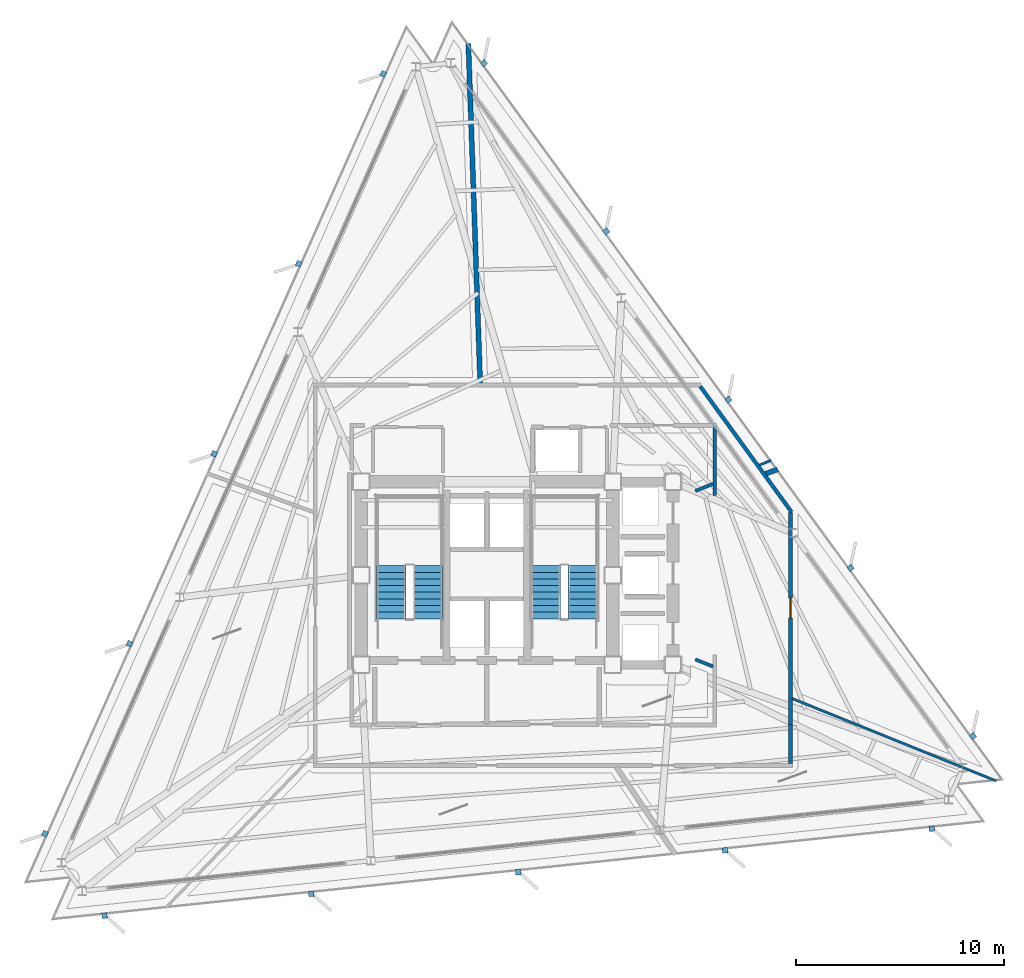
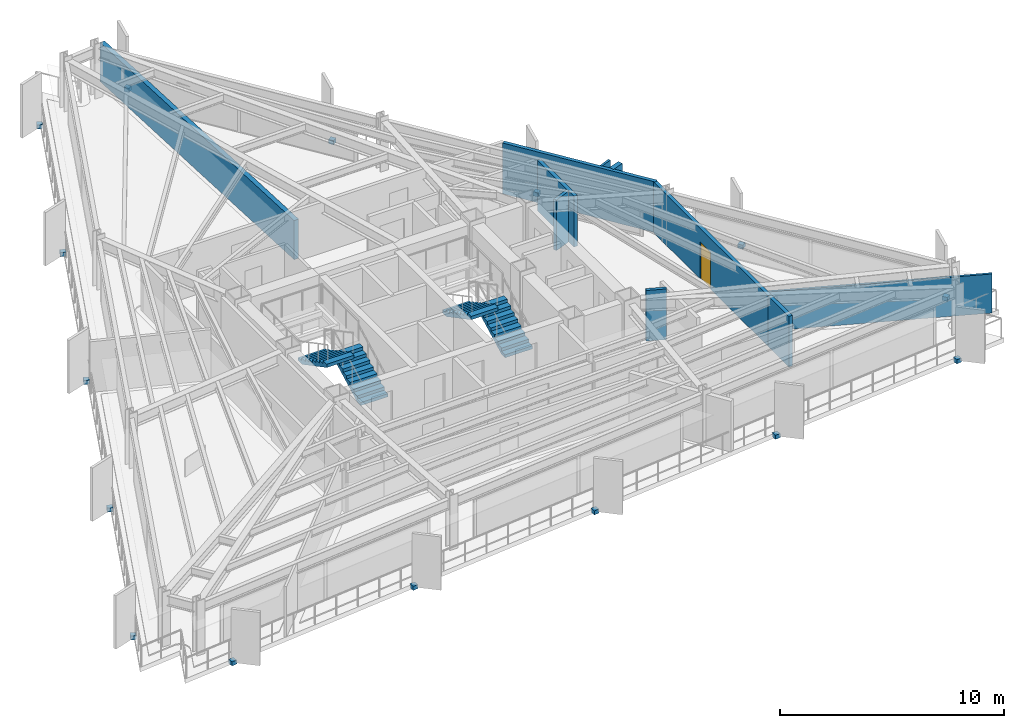
# One storey, part 9 of 13: 15 discrete accessories, 10 walls, 4 stair flights, 1 door, 1 opening, 2 elements without a shape of their own.
"""IFC4 building model written with IfcOpenShell, lengths in metres."""

from ifc_helpers import new_model, si_unit, direction, frame, frame_2d, origin, origin_2d, place, context, subcontext, project, spatial, polyline, rectangle, outline, extrude, material, layer, layer_set, type_object, element, fill, aggregate, save


model = new_model("IFC4")

# Units and contexts
model_context = context("Model", 3, precision=1e-05, world=origin(), true_north=direction((0.0, 1.0)))
body_context = subcontext(model_context, "Body", "Model", "MODEL_VIEW")
ifc_project = project(units=[si_unit("LENGTHUNIT", "METRE"), si_unit("AREAUNIT", "SQUARE_METRE"), si_unit("VOLUMEUNIT", "CUBIC_METRE"), si_unit("PLANEANGLEUNIT", "RADIAN"), si_unit("MASSUNIT", "GRAM", prefix="KILO")], contexts=[model_context])

# Site, building, storey
site_placement = place(None, origin())
site = spatial("IfcSite", under=ifc_project, at=site_placement, CompositionType="ELEMENT")
building_placement = place(site_placement, origin())
building = spatial("IfcBuilding", under=site, at=building_placement, Name="Rocaltana Carrier Exchange", CompositionType="ELEMENT")
storey_placement = place(building_placement, frame((0.0, 0.0, 119.840087890625)))
storey = spatial("IfcBuildingStorey", under=building, at=storey_placement, Name="L37", CompositionType="ELEMENT", Elevation=119.840087890625)

# Walls
ifc_material_1 = material(Name="Double Acoustic Gypsum Partition", Category="gypsum")
ifc_layer_1 = layer(ifc_material_1, 0.159912109375)
ifc_layer_set_1 = layer_set([ifc_layer_1], Name="Double Acoustic Gypsum Partition")
wall_type_1 = type_object("IfcWallType", Name="Acoustic Studio Partition 160 EI60", PredefinedType="PARTITIONING", material=ifc_layer_set_1)
for number, where, z_axis, x_axis, name in (
    (1, (10.024169921875, -4.050048828125, 0.0), (0.0, 0.0, 1.0), (0.927194137639, -0.374581140912, 0.0), "L37 Suite Divider Wall D4"),
    (2, (10.024169921875, 4.050048828125, 0.0), (0.0, 0.0, 1.0), (0.927194137639, 0.374581140912, 0.0), "L37 Suite Divider Wall D7"),
):
    element("IfcWall", number, at=place(storey_placement, frame(where, z_axis=z_axis, x_axis=x_axis)), inside=storey, type_object=wall_type_1, Name=name, PredefinedType="PARTITIONING", context=body_context, shape_type="SweptSolid", body=[
        extrude(rectangle(XDim=0.9228515625, YDim=0.159912109375, at=frame_2d((0.46142578125, 0.0))), origin(), (0.0, 0.0, 1.0), 2.762939453125),
    ])
ifc_material_2 = material(Name="Gypsum & Steel Stud Partition", Category="steel")
ifc_layer_2 = layer(ifc_material_2, 0.179931640625)
ifc_layer_set_2 = layer_set([ifc_layer_2], Name="Gypsum & Steel Stud Partition")
wall_type_2 = type_object("IfcWallType", Name="Corridor Fire Partition 180 EI60", PredefinedType="PARTITIONING", material=ifc_layer_set_2)
wall_1_placement = place(storey_placement, frame((10.262939453125, 9.0771484375, 0.0), z_axis=(0.0, 0.0, 1.0), x_axis=(0.587780951295, -0.809020119215, 0.0)))
element("IfcWall", 3, at=wall_1_placement, inside=storey, type_object=wall_type_2, Name="L37 Corridor Partition 7", PredefinedType="PARTITIONING", context=body_context, shape_type="SweptSolid", body=[
    extrude(rectangle(XDim=7.468505859375, YDim=0.179931640625, at=frame_2d((3.734375, 0.0))), origin(), (0.0, 0.0, 1.0), 2.762939453125),
])

# Wall, opening, door
wall_2_placement = place(storey_placement, frame((14.60009765625, 3.017578125, 0.0), z_axis=(0.0, 0.0, 1.0), x_axis=(0.0, -1.0, 0.0)))
wall_2 = element("IfcWall", 4, at=wall_2_placement, inside=storey, type_object=wall_type_2, Name="L37 Corridor Partition 8", PredefinedType="PARTITIONING", context=body_context, shape_type="SweptSolid", body=[
    extrude(rectangle(XDim=10.237548828125, YDim=0.179931640625, at=frame_2d((5.11865234375, 0.0))), origin(), (0.0, 0.0, 1.0), 2.762939453125),
])
opening_placement = place(wall_2_placement, frame((4.123779296875, 0.0, 0.0)))
opening = element("IfcOpeningElement", 5, at=opening_placement, cuts=wall_2, Name="Opening D-RM098", PredefinedType="OPENING", context=body_context, shape_type="SweptSolid", body=[
    extrude(rectangle(XDim=0.9599609375, YDim=2.02001953125, at=frame_2d((0.47998046875, 1.010009765625))), frame((0.0, 0.099853515625, 0.0), z_axis=(0.0, -1.0, 0.0), x_axis=(1.0, 0.0, 0.0)), (0.0, 0.0, 1.0), 0.199951171875),
])
ifc_material_3 = material(Name="Engineered Hardwood Timber", Category="wood")
door_type = type_object("IfcDoorType", Name="Workspace Single Door 960x2020", OperationType="NOTDEFINED", PredefinedType="DOOR", material=ifc_material_3)
door_placement = place(opening_placement, origin())
door = element("IfcDoor", 6, at=door_placement, inside=storey, type_object=door_type, Name="L37 Quiet Focus Lounge Entrance Door", OperationType="SINGLE_SWING_LEFT", OverallHeight=2.02001953125, OverallWidth=0.9599609375, PredefinedType="DOOR", context=body_context, shape_type="SweptSolid", body=[
    extrude(rectangle(XDim=0.9599609375, YDim=2.02001953125, at=frame_2d((0.47998046875, 1.010009765625))), frame((0.0, 0.02490234375, 0.0), z_axis=(0.0, -1.0, 0.0), x_axis=(1.0, 0.0, 0.0)), (0.0, 0.0, 1.0), 0.050048828125),
])
fill(opening, door)

# Walls
wall_3_placement = place(storey_placement, frame((14.60009765625, -7.179931640625, 0.0), z_axis=(0.0, 0.0, 1.0), x_axis=(0.0, -1.0, 0.0)))
element("IfcWall", 7, at=wall_3_placement, inside=storey, type_object=wall_type_2, Name="L37 Corridor Partition 9", PredefinedType="PARTITIONING", context=body_context, shape_type="SweptSolid", body=[
    extrude(rectangle(XDim=1.880126953125, YDim=0.179931640625, at=frame_2d((0.93994140625, 0.0))), origin(), (0.0, 0.0, 1.0), 2.762939453125),
])
wall_4_placement = place(storey_placement, frame((10.9599609375, 3.839599609375, 0.0), z_axis=(0.0, 0.0, 1.0), x_axis=(0.0, 1.0, 0.0)))
element("IfcWall", 8, at=wall_4_placement, inside=storey, type_object=wall_type_2, Name="L37 Corridor Partition 14", PredefinedType="PARTITIONING", context=body_context, shape_type="SweptSolid", body=[
    extrude(rectangle(XDim=3.2705078125, YDim=0.179931640625, at=frame_2d((1.63525390625, 0.0))), origin(), (0.0, 0.0, 1.0), 2.762939453125),
])
ifc_material_4 = material(Name="Aluminium 6063-T6 & Acoustic Glass", Category="aluminium")
ifc_layer_3 = layer(ifc_material_4, 0.114990234375)
ifc_layer_set_3 = layer_set([ifc_layer_3], Name="Aluminium 6063-T6 & Acoustic Glass")
wall_type_3 = type_object("IfcWallType", Name="Demountable Glazed Lab Partition 115", PredefinedType="MOVABLE", material=ifc_layer_set_3)
wall_5_placement = place(storey_placement, frame((14.679931640625, -5.93115234375, 0.0), z_axis=(0.0, 0.0, 1.0), x_axis=(0.927187622353, -0.374597267682, 0.0)))
element("IfcWall", 9, at=wall_5_placement, inside=storey, type_object=wall_type_3, Name="L37 Suite Divider Wall D5", PredefinedType="MOVABLE", context=body_context, shape_type="SweptSolid", body=[
    extrude(rectangle(XDim=10.586181640625, YDim=0.114990234375, at=frame_2d((5.29296875, 0.0))), origin(), (0.0, 0.0, 1.0), 2.1318359375),
])
wall_6_placement = place(storey_placement, frame((13.10888671875, 5.29638671875, 0.0), z_axis=(0.0, 0.0, 1.0), x_axis=(0.927169426613, 0.374642301875, 0.0)))
element("IfcWall", 10, at=wall_6_placement, inside=storey, type_object=wall_type_3, Name="L37 Suite Divider Wall D8", PredefinedType="MOVABLE", context=body_context, shape_type="SweptSolid", body=[
    extrude(rectangle(XDim=0.60791015625, YDim=0.114990234375, at=frame_2d((0.303955078125, 0.0))), origin(), (0.0, 0.0, 1.0), 2.762939453125),
])
ifc_material_5 = material(Name="Acoustic Calcium Silicate Partition", Category="gypsum")
ifc_layer_4 = layer(ifc_material_5, 0.239990234375)
ifc_layer_set_4 = layer_set([ifc_layer_4], Name="Acoustic Calcium Silicate Partition")
wall_type_4 = type_object("IfcWallType", Name="Heavy Lab Partition 240 EI90", PredefinedType="PARTITIONING", material=ifc_layer_set_4)
wall_7_placement = place(storey_placement, frame((13.410400390625, 4.881103515625, 0.0), z_axis=(0.0, 0.0, 1.0), x_axis=(0.939828255983, 0.341647258523, 0.0)))
element("IfcWall", 11, at=wall_7_placement, inside=storey, type_object=wall_type_4, Name="L37 Suite Divider Wall D6", PredefinedType="PARTITIONING", context=body_context, shape_type="SweptSolid", body=[
    extrude(rectangle(XDim=0.61376953125, YDim=0.239990234375, at=frame_2d((0.306884765625, 0.0))), origin(), (0.0, 0.0, 1.0), 2.762939453125),
])
wall_8_placement = place(storey_placement, frame((-0.322265625, 9.22998046875, 0.0), z_axis=(0.0, 0.0, 1.0), x_axis=(-0.034907078812, 0.999390562217, 0.0)))
element("IfcWall", 12, at=wall_8_placement, inside=storey, type_object=wall_type_4, Name="L37 Suite Divider Wall D9", PredefinedType="PARTITIONING", context=body_context, shape_type="SweptSolid", body=[
    extrude(rectangle(XDim=16.35205078125, YDim=0.239990234375, at=frame_2d((8.176025390625, 0.0))), origin(), (0.0, 0.0, 1.0), 2.1318359375),
])

# Stair, stair flights
ifc_material_6 = material(Name="Precast concrete C45/55", Category="concrete")
stair_type = type_object("IfcStairType", Name="Standard Dog-Leg Stair 160", PredefinedType="HALF_TURN_STAIR", material=ifc_material_6)
stair_1_placement = place(storey_placement, origin())
stair_1 = element("IfcStair", 13, at=stair_1_placement, inside=storey, type_object=stair_type, Name="L37 Core West Exit Stair ST-1", PredefinedType="HALF_TURN_STAIR")
ifc_material_7 = material(Name="Precast concrete C45/55", Category="concrete")
stair_flight_type = type_object("IfcStairFlightType", Name="Precast Stair Flight 160", PredefinedType="STRAIGHT", material=ifc_material_7)
stair_flight_1_placement = place(storey_placement, frame((-2.840087890625, -2.10009765625, 0.0), z_axis=(0.0, 0.0, 1.0), x_axis=(0.0, 1.0, 0.0)))
stair_flight_1 = element("IfcStairFlight", 14, at=stair_flight_1_placement, type_object=stair_flight_type, Name="ST-1 flight 1", NumberOfRisers=9, NumberOfTreads=8, PredefinedType="STRAIGHT", RiserHeight=0.168888889, TreadLength=0.32, context=body_context, shape_type="SweptSolid", body=[
    extrude(outline(polyline([(0.0, 0.0), (0.0, 0.1689453125), (0.320068359375, 0.1689453125), (0.320068359375, 0.337890625), (0.639892578125, 0.337890625), (0.639892578125, 0.506591796875), (0.9599609375, 0.506591796875), (0.9599609375, 0.675537109375), (1.280029296875, 0.675537109375), (1.280029296875, 0.844482421875), (1.60009765625, 0.844482421875), (1.60009765625, 1.013427734375), (1.919921875, 1.013427734375), (1.919921875, 1.18212890625), (2.239990234375, 1.18212890625), (2.239990234375, 1.35107421875), (2.56005859375, 1.35107421875), (2.56005859375, 1.52001953125), (2.56005859375, 1.17041015625), (0.342529296875, 0.0), (0.0, 0.0)])), frame((0.0, 0.699951171875, 0.0), z_axis=(0.0, -1.0, 0.0), x_axis=(1.0, 0.0, 0.0)), (0.0, 0.0, 1.0), 1.39990234375),
])
stair_flight_2_placement = place(storey_placement, frame((-4.60009765625, 0.4599609375, 1.52001953125), z_axis=(0.0, 0.0, 1.0), x_axis=(0.0, -1.0, 0.0)))
stair_flight_2 = element("IfcStairFlight", 15, at=stair_flight_2_placement, type_object=stair_flight_type, Name="ST-1 flight 2", NumberOfRisers=9, NumberOfTreads=8, PredefinedType="STRAIGHT", RiserHeight=0.168888889, TreadLength=0.32, context=body_context, shape_type="SweptSolid", body=[
    extrude(outline(polyline([(0.0, 0.0), (0.0, 0.1689453125), (0.320068359375, 0.1689453125), (0.320068359375, 0.337890625), (0.639892578125, 0.337890625), (0.639892578125, 0.506591796875), (0.9599609375, 0.506591796875), (0.9599609375, 0.675537109375), (1.280029296875, 0.675537109375), (1.280029296875, 0.844482421875), (1.60009765625, 0.844482421875), (1.60009765625, 1.013427734375), (1.919921875, 1.013427734375), (1.919921875, 1.18212890625), (2.239990234375, 1.18212890625), (2.239990234375, 1.35107421875), (2.56005859375, 1.35107421875), (2.56005859375, 1.52001953125), (2.56005859375, 1.17041015625), (0.342529296875, 0.0), (0.0, 0.0)])), frame((0.0, 0.699951171875, 0.0), z_axis=(0.0, -1.0, 0.0), x_axis=(1.0, 0.0, 0.0)), (0.0, 0.0, 1.0), 1.39990234375),
])
aggregate(stair_1, [stair_flight_1, stair_flight_2])

stair_2_placement = place(storey_placement, origin())
stair_2 = element("IfcStair", 16, at=stair_2_placement, inside=storey, type_object=stair_type, Name="L37 Core East Exit Stair ST-2", PredefinedType="HALF_TURN_STAIR")
stair_flight_3_placement = place(storey_placement, frame((4.60009765625, -2.10009765625, 0.0), z_axis=(0.0, 0.0, 1.0), x_axis=(0.0, 1.0, 0.0)))
stair_flight_3 = element("IfcStairFlight", 17, at=stair_flight_3_placement, type_object=stair_flight_type, Name="ST-2 flight 1", NumberOfRisers=9, NumberOfTreads=8, PredefinedType="STRAIGHT", RiserHeight=0.168888889, TreadLength=0.32, context=body_context, shape_type="SweptSolid", body=[
    extrude(outline(polyline([(0.0, 0.0), (0.0, 0.1689453125), (0.320068359375, 0.1689453125), (0.320068359375, 0.337890625), (0.639892578125, 0.337890625), (0.639892578125, 0.506591796875), (0.9599609375, 0.506591796875), (0.9599609375, 0.675537109375), (1.280029296875, 0.675537109375), (1.280029296875, 0.844482421875), (1.60009765625, 0.844482421875), (1.60009765625, 1.013427734375), (1.919921875, 1.013427734375), (1.919921875, 1.18212890625), (2.239990234375, 1.18212890625), (2.239990234375, 1.35107421875), (2.56005859375, 1.35107421875), (2.56005859375, 1.52001953125), (2.56005859375, 1.17041015625), (0.342529296875, 0.0), (0.0, 0.0)])), frame((0.0, 0.699951171875, 0.0), z_axis=(0.0, -1.0, 0.0), x_axis=(1.0, 0.0, 0.0)), (0.0, 0.0, 1.0), 1.39990234375),
])
stair_flight_4_placement = place(storey_placement, frame((2.840087890625, 0.4599609375, 1.52001953125), z_axis=(0.0, 0.0, 1.0), x_axis=(0.0, -1.0, 0.0)))
stair_flight_4 = element("IfcStairFlight", 18, at=stair_flight_4_placement, type_object=stair_flight_type, Name="ST-2 flight 2", NumberOfRisers=9, NumberOfTreads=8, PredefinedType="STRAIGHT", RiserHeight=0.168888889, TreadLength=0.32, context=body_context, shape_type="SweptSolid", body=[
    extrude(outline(polyline([(0.0, 0.0), (0.0, 0.1689453125), (0.320068359375, 0.1689453125), (0.320068359375, 0.337890625), (0.639892578125, 0.337890625), (0.639892578125, 0.506591796875), (0.9599609375, 0.506591796875), (0.9599609375, 0.675537109375), (1.280029296875, 0.675537109375), (1.280029296875, 0.844482421875), (1.60009765625, 0.844482421875), (1.60009765625, 1.013427734375), (1.919921875, 1.013427734375), (1.919921875, 1.18212890625), (2.239990234375, 1.18212890625), (2.239990234375, 1.35107421875), (2.56005859375, 1.35107421875), (2.56005859375, 1.52001953125), (2.56005859375, 1.17041015625), (0.342529296875, 0.0), (0.0, 0.0)])), frame((0.0, 0.699951171875, 0.0), z_axis=(0.0, -1.0, 0.0), x_axis=(1.0, 0.0, 0.0)), (0.0, 0.0, 1.0), 1.39990234375),
])
aggregate(stair_2, [stair_flight_3, stair_flight_4])

# Discrete accessories
ifc_material_8 = material(Name="Brushed Architectural Stainless Metal", Category="steel")
ifc_layer_5 = layer(ifc_material_8, 0.219970703125)
ifc_layer_set_5 = layer_set([ifc_layer_5], Name="Brushed Architectural Stainless Metal")
discrete_accessory_type = type_object("IfcDiscreteAccessoryType", Name="Stainless Fin Slab-Edge Bracket 260x260x220", PredefinedType="BRACKET", material=ifc_layer_set_5)
for number, where, z_axis, x_axis, name in (
    (19, (23.371826171875, -7.74072265625, -0.2099609375), (0.0, 0.0, 1.0), (-0.587785252292, 0.809016994375, 0.0), "L37 Sandstone Fin Edge Bracket F1-01"),
    (20, (17.493896484375, 0.349365234375, -0.2099609375), (0.0, 0.0, 1.0), (-0.587785252292, 0.809016994375, 0.0), "L37 Sandstone Fin Edge Bracket F1-02"),
    (21, (11.6162109375, 8.439697265625, -0.2099609375), (0.0, 0.0, 1.0), (-0.587785252292, 0.809016994375, 0.0), "L37 Sandstone Fin Edge Bracket F1-03"),
    (22, (5.73828125, 16.52978515625, -0.2099609375), (0.0, 0.0, 1.0), (-0.587785252292, 0.809016994375, 0.0), "L37 Sandstone Fin Edge Bracket F1-04"),
    (23, (-0.1396484375, 24.619873046875, -0.2099609375), (0.0, 0.0, 1.0), (-0.587785252292, 0.809016994375, 0.0), "L37 Sandstone Fin Edge Bracket F1-05"),
    (24, (-4.982177734375, 24.111083984375, -0.2099609375), (0.0, 0.0, 1.0), (-0.406736643076, -0.913545457643, 0.0), "L37 Sandstone Fin Edge Bracket F2-01"),
    (25, (-9.049560546875, 14.9755859375, -0.2099609375), (0.0, 0.0, 1.0), (-0.406736643076, -0.913545457643, 0.0), "L37 Sandstone Fin Edge Bracket F2-02"),
    (26, (-13.116943359375, 5.840087890625, -0.2099609375), (0.0, 0.0, 1.0), (-0.406736643076, -0.913545457643, 0.0), "L37 Sandstone Fin Edge Bracket F2-03"),
    (27, (-17.184326171875, -3.29541015625, -0.2099609375), (0.0, 0.0, 1.0), (-0.406736643076, -0.913545457643, 0.0), "L37 Sandstone Fin Edge Bracket F2-04"),
    (28, (-21.251708984375, -12.430908203125, -0.2099609375), (0.0, 0.0, 1.0), (-0.406736643076, -0.913545457643, 0.0), "L37 Sandstone Fin Edge Bracket F2-05"),
    (29, (-18.3896484375, -16.3701171875, -0.2099609375), (0.0, 0.0, 1.0), (0.994521895368, 0.104528463268, 0.0), "L37 Sandstone Fin Edge Bracket F3-01"),
    (30, (-8.4443359375, -15.324951171875, -0.2099609375), (0.0, 0.0, 1.0), (0.994521895368, 0.104528463268, 0.0), "L37 Sandstone Fin Edge Bracket F3-02"),
    (31, (1.500732421875, -14.279541015625, -0.2099609375), (0.0, 0.0, 1.0), (0.994521895368, 0.104528463268, 0.0), "L37 Sandstone Fin Edge Bracket F3-03"),
    (32, (11.446044921875, -13.234375, -0.2099609375), (0.0, 0.0, 1.0), (0.994521895368, 0.104528463268, 0.0), "L37 Sandstone Fin Edge Bracket F3-04"),
    (33, (21.391357421875, -12.189208984375, -0.2099609375), (0.0, 0.0, 1.0), (0.994521895368, 0.104528463268, 0.0), "L37 Sandstone Fin Edge Bracket F3-05"),
):
    element("IfcDiscreteAccessory", number, at=place(storey_placement, frame(where, z_axis=z_axis, x_axis=x_axis)), inside=storey, type_object=discrete_accessory_type, Name=name, PredefinedType="BRACKET", context=body_context, shape_type="SweptSolid", body=[
        extrude(rectangle(XDim=0.260009765625, YDim=0.260009765625, at=origin_2d()), origin(), (0.0, 0.0, 1.0), 0.219970703125),
    ])

save(model, "model.ifc")
